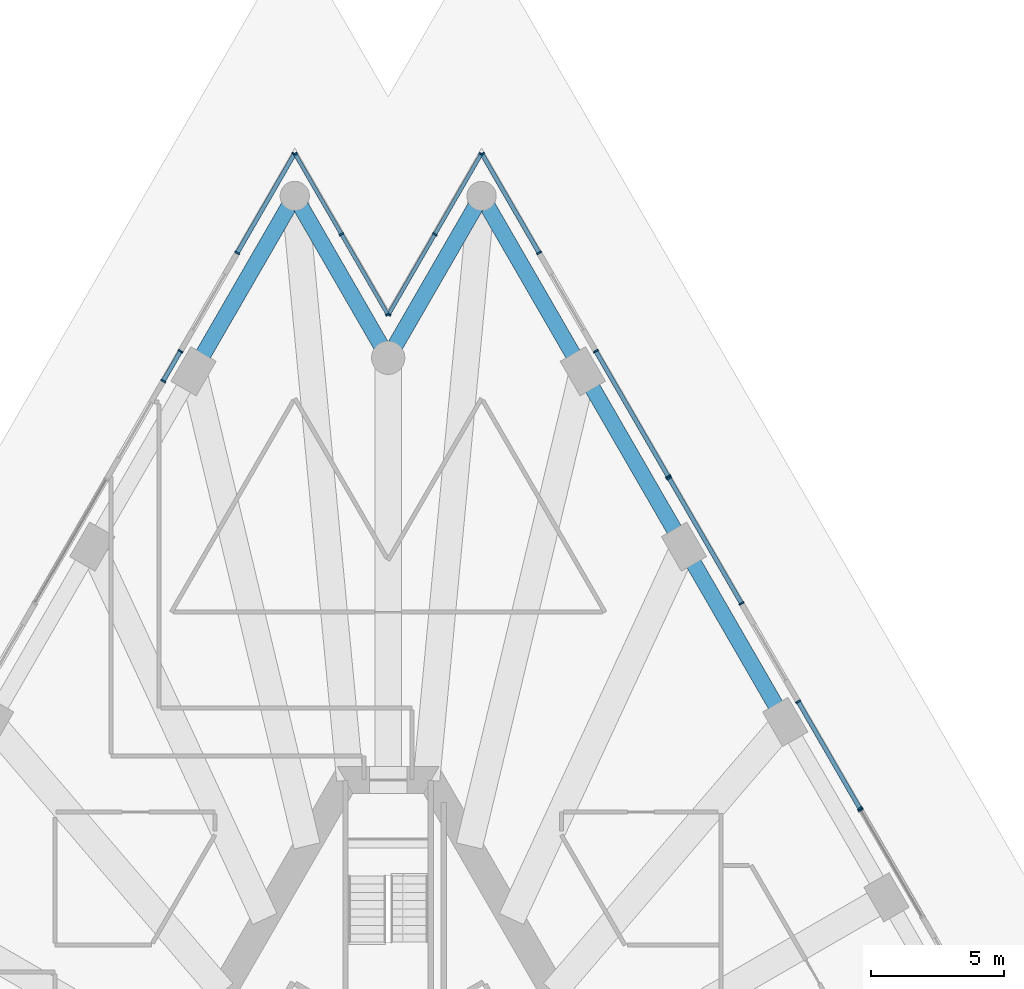
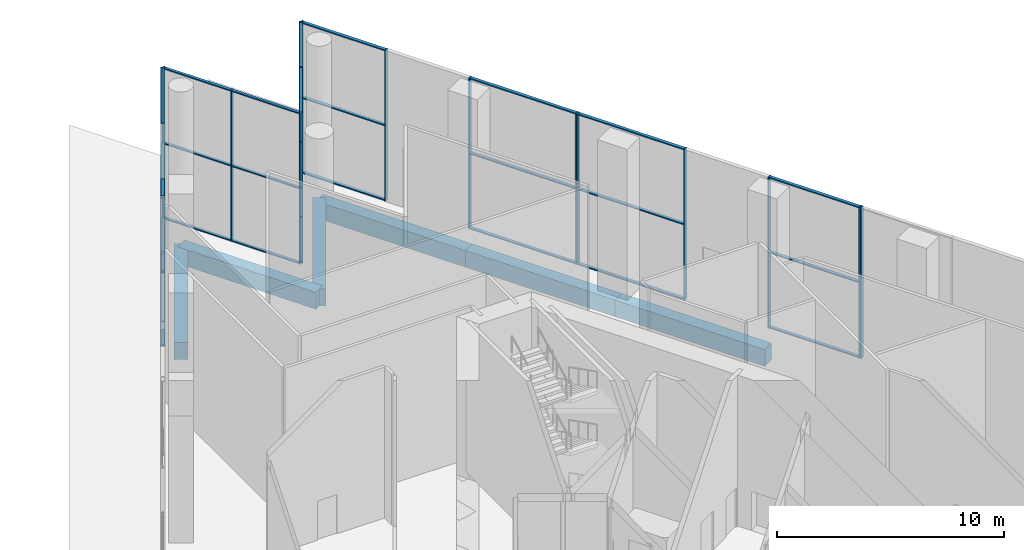
# One storey, part 14 of 41: 49 members, 6 beams, 9 elements without a shape of their own.
"""IFC4 building model written with IfcOpenShell, lengths in metres."""

import ifcopenshell
import ifcopenshell.guid

model = None  # the IFC model being written
_history = None  # IfcOwnerHistory: only IFC2X3 demands one
_inside = {}  # id of a spatial element -> (the spatial element, [elements in it])
_under = {}  # id of a project, library or spatial element -> (it, [spatial elements below it])
_declared = {}  # id of a project -> (the project, [libraries it declares])
_typed = {}  # id of a type object -> (the type object, [elements of that type])
_made_of = {}  # id of a material, layer set ... -> (it, [elements and type objects made of it])


def new_model(schema):
    """Start an empty IFC model of exactly this schema.

    Asked for "IFC4X3", IfcOpenShell would pick the latest addendum, in which some entities
    have other attributes; the version numbers below select the first issue.
    IFC2X3 requires an IfcOwnerHistory on every rooted entity: one is made here for all.
    """
    global model, _history
    if schema == "IFC4X3":
        model = ifcopenshell.file(schema_version=(4, 3, 0, 0))
    else:
        model = ifcopenshell.file(schema=schema)
    _inside.clear()
    _under.clear()
    _declared.clear()
    _typed.clear()
    _made_of.clear()
    _history = None
    if model.schema == "IFC2X3":
        org = make("IfcOrganization", Name="unknown")
        user = make(
            "IfcPersonAndOrganization",
            ThePerson=make("IfcPerson", FamilyName="unknown"),
            TheOrganization=org,
        )
        app = make(
            "IfcApplication",
            ApplicationDeveloper=org,
            Version="unknown",
            ApplicationFullName="unknown",
            ApplicationIdentifier="unknown",
        )
        _history = make(
            "IfcOwnerHistory",
            OwningUser=user,
            OwningApplication=app,
            ChangeAction="ADDED",
            CreationDate=0,
        )
    return model


def make(cls, **values):
    """One entity of the class cls with the attributes given. An attribute that is None is left unset."""
    return model.create_entity(
        cls, **{name: value for name, value in values.items() if value is not None}
    )


def rooted(cls, **values):
    """An entity with a GlobalId (a new one), such as an element, a storey or a relation."""
    return make(cls, GlobalId=ifcopenshell.guid.new(), OwnerHistory=_history, **values)


def si_unit(unit_type, name, prefix=None):
    """IfcSIUnit, for example si_unit("LENGTHUNIT", "METRE", prefix="MILLI")."""
    return make("IfcSIUnit", UnitType=unit_type, Prefix=prefix, Name=name)


def assignment(units):
    """IfcUnitAssignment: the units of a project."""
    return None if units is None else make("IfcUnitAssignment", Units=units)


def point(xyz):
    """IfcCartesianPoint."""
    return None if xyz is None else make("IfcCartesianPoint", Coordinates=xyz)


def direction(xyz):
    """IfcDirection."""
    return None if xyz is None else make("IfcDirection", DirectionRatios=xyz)


def frame(location, z_axis=None, x_axis=None):
    """IfcAxis2Placement3D, a coordinate frame: its origin and axes. An axis left out is left unset."""
    return make(
        "IfcAxis2Placement3D",
        Location=point(location),
        Axis=direction(z_axis),
        RefDirection=direction(x_axis),
    )


def frame_2d(location, x_axis=None):
    """IfcAxis2Placement2D, a coordinate frame in the plane: its origin and x axis."""
    return make(
        "IfcAxis2Placement2D", Location=point(location), RefDirection=direction(x_axis)
    )


def origin():
    """The frame at (0, 0, 0) with its axes left unset."""
    return frame((0.0, 0.0, 0.0))


def origin_2d():
    """The frame at (0, 0) in the plane with its x axis left unset."""
    return frame_2d((0.0, 0.0))


def place(relative_to, where):
    """IfcLocalPlacement: puts the frame where relative to a parent placement (None: the world)."""
    return make(
        "IfcLocalPlacement", PlacementRelTo=relative_to, RelativePlacement=where
    )


def context(
    kind, dimensions, precision=None, world=None, true_north=None, identifier=None
):
    """IfcGeometricRepresentationContext, for example the 3D "Model" context."""
    return make(
        "IfcGeometricRepresentationContext",
        ContextIdentifier=identifier,
        ContextType=kind,
        CoordinateSpaceDimension=dimensions,
        Precision=precision,
        WorldCoordinateSystem=world,
        TrueNorth=true_north,
    )


def subcontext(parent, identifier, kind, view, scale=None):
    """IfcGeometricRepresentationSubContext, for example "Body" below "Model"."""
    return make(
        "IfcGeometricRepresentationSubContext",
        ContextIdentifier=identifier,
        ContextType=kind,
        ParentContext=parent,
        TargetScale=scale,
        TargetView=view,
    )


def project(units=None, contexts=None):
    """IfcProject with its units and contexts."""
    return rooted(
        "IfcProject",
        Name="project",
        RepresentationContexts=contexts,
        UnitsInContext=assignment(units),
    )


def spatial(cls, under=None, at=None, **own):
    """A site, building, storey or space (cls), placed at a placement, below another one or the project."""
    s = rooted(cls, ObjectPlacement=at, **own)
    if under is not None:
        _under.setdefault(under.id(), (under, []))[1].append(s)
    return s


def profile(cls, at=None, kind="AREA", **sizes):
    """A parametric profile (cls). Its sizes go by their IFC names, for example OverallWidth=200.0."""
    return make(cls, ProfileType=kind, Position=at, **sizes)


def rectangle(**sizes):
    """IfcRectangleProfileDef."""
    return profile("IfcRectangleProfileDef", **sizes)


def extrude(swept, where, along, depth):
    """IfcExtrudedAreaSolid: the profile swept, set in the frame where, extruded along a direction by depth."""
    return make(
        "IfcExtrudedAreaSolid",
        SweptArea=swept,
        Position=where,
        ExtrudedDirection=direction(along),
        Depth=depth,
    )


def shape(context_of_items, identifier, shape_type, items):
    """IfcShapeRepresentation: the items that make up one representation, for example the "Body"."""
    return make(
        "IfcShapeRepresentation",
        ContextOfItems=context_of_items,
        RepresentationIdentifier=identifier,
        RepresentationType=shape_type,
        Items=items,
    )


def material(Name=None, Category=None):
    """IfcMaterial."""
    return make("IfcMaterial", Name=Name, Category=Category)


def layer(
    of_material, thickness, ventilated=None, Name=None, Category=None, Priority=None
):
    """IfcMaterialLayer: one layer of a wall or slab, of a material (None: an air gap)."""
    return make(
        "IfcMaterialLayer",
        Material=of_material,
        LayerThickness=thickness,
        IsVentilated=ventilated,
        Name=Name,
        Category=Category,
        Priority=Priority,
    )


def layer_set(layers, Name=None):
    """IfcMaterialLayerSet."""
    return make("IfcMaterialLayerSet", MaterialLayers=layers, LayerSetName=Name)


def material_profile(
    of_material, cross_section, Name=None, Category=None, Priority=None
):
    """IfcMaterialProfile: a cross section and its material."""
    return make(
        "IfcMaterialProfile",
        Name=Name,
        Material=of_material,
        Profile=cross_section,
        Priority=Priority,
        Category=Category,
    )


def profile_set(profiles, Name=None, composite=None):
    """IfcMaterialProfileSet."""
    return make(
        "IfcMaterialProfileSet",
        Name=Name,
        MaterialProfiles=profiles,
        CompositeProfile=composite,
    )


def made_of(thing, what):
    """Note that an element or type object is made of a material, layer set ...; save() writes the relation."""
    if what is not None:
        _made_of.setdefault(what.id(), (what, []))[1].append(thing)
    return thing


def type_object(cls, material=None, **own):
    """A type object (cls), such as IfcWallType, which elements share."""
    return made_of(rooted(cls, **own), material)


def element(
    cls,
    number,
    at=None,
    inside=None,
    cuts=None,
    type_object=None,
    material=None,
    context=None,
    identifier="Body",
    shape_type=None,
    held_by="IfcProductDefinitionShape",
    body=None,
    shapes=None,
    **own,
):
    """One element of the class cls, such as IfcWall. Its Tag is "e" and its number.

    at: its placement. inside: the storey or other place that contains it. cuts: it is an
    opening in that element (IfcRelVoidsElement). A single representation is given by context,
    identifier, shape_type and body (its items); several are given by shapes. held_by: the class
    of the entity that holds the representations. save() writes the other relations.
    """
    e = rooted(cls, Tag="e%d" % number, ObjectPlacement=at, **own)
    if body is not None:
        shapes = [shape(context, identifier, shape_type, body)]
    if shapes is not None:
        e.Representation = make(held_by, Representations=shapes)
    if inside is not None:
        _inside.setdefault(inside.id(), (inside, []))[1].append(e)
    if cuts is not None:
        rooted(
            "IfcRelVoidsElement", RelatingBuildingElement=cuts, RelatedOpeningElement=e
        )
    if type_object is not None:
        _typed.setdefault(type_object.id(), (type_object, []))[1].append(e)
    return made_of(e, material)


def aggregate(whole, parts):
    """IfcRelAggregates: a whole, such as a stair, and the parts it consists of."""
    return rooted("IfcRelAggregates", RelatingObject=whole, RelatedObjects=parts)


def save(model, path):
    """Write the relations noted so far, then the file.

    IfcRelAggregates (storeys below a building ...), IfcRelContainedInSpatialStructure (elements
    in a storey), IfcRelDefinesByType, IfcRelAssociatesMaterial and IfcRelDeclares: one each for
    every whole, place, type object, material and project.
    """
    for whole, parts in _under.values():
        aggregate(whole, parts)
    for where, things in _inside.values():
        rooted(
            "IfcRelContainedInSpatialStructure",
            RelatedElements=things,
            RelatingStructure=where,
        )
    for kind, things in _typed.values():
        rooted("IfcRelDefinesByType", RelatedObjects=things, RelatingType=kind)
    for what, things in _made_of.values():
        rooted("IfcRelAssociatesMaterial", RelatedObjects=things, RelatingMaterial=what)
    for by, libraries in _declared.values():
        rooted("IfcRelDeclares", RelatingContext=by, RelatedDefinitions=libraries)
    model.write(path)


model = new_model("IFC4")

# Units and contexts
model_context = context("Model", 3, precision=1e-05, world=origin(), true_north=direction((0.0, 1.0)))
body_context = subcontext(model_context, "Body", "Model", "MODEL_VIEW")
ifc_project = project(units=[si_unit("LENGTHUNIT", "METRE"), si_unit("AREAUNIT", "SQUARE_METRE"), si_unit("VOLUMEUNIT", "CUBIC_METRE"), si_unit("PLANEANGLEUNIT", "RADIAN"), si_unit("MASSUNIT", "GRAM", prefix="KILO")], contexts=[model_context])

# Site, building, storey
site_placement = place(None, origin())
site = spatial("IfcSite", under=ifc_project, at=site_placement, CompositionType="ELEMENT")
building_placement = place(site_placement, origin())
building = spatial("IfcBuilding", under=site, at=building_placement, Name="Triada Interchange Tower", CompositionType="ELEMENT")
storey_placement = place(building_placement, origin())
storey = spatial("IfcBuildingStorey", under=building, at=storey_placement, Name="L00", CompositionType="ELEMENT", Elevation=0.0)

# Curtain wall, member
ifc_material_1 = material(Name="Aluminium framed glazing", Category="aluminium")
ifc_layer_1 = layer(ifc_material_1, 0.199951171875)
ifc_layer_set_1 = layer_set([ifc_layer_1], Name="Curtain wall Concourse glazed screen")
curtain_wall_type_1 = type_object("IfcCurtainWallType", Name="Curtain wall Concourse glazed screen", PredefinedType="NOTDEFINED", material=ifc_layer_set_1)
curtain_wall_1_placement = place(storey_placement, origin())
curtain_wall_1 = element("IfcCurtainWall", 1, at=curtain_wall_1_placement, inside=storey, type_object=curtain_wall_type_1, Name="Concourse glazed screen CW023 L00", PredefinedType="NOTDEFINED")
ifc_material_2 = material(Name="Aluminium", Category="aluminium")
ifc_material_profile_1 = material_profile(ifc_material_2, rectangle(XDim=0.199951171875, YDim=0.06005859375, at=origin_2d()), Name="Aluminium mullion")
ifc_profile_set_1 = profile_set([ifc_material_profile_1], Name="Aluminium")
member_type_1 = type_object("IfcMemberType", Name="Mullion Concourse glazed screen 200x60", PredefinedType="MULLION", material=ifc_profile_set_1)
member_1_placement = place(storey_placement, frame((17.738037109375, 14.075927734375, 0.0), z_axis=(0.0, 0.0, 1.0), x_axis=(-0.865961626677, -0.500110448923, 0.0)))
member_1 = element("IfcMember", 2, at=member_1_placement, type_object=member_type_1, Name="CW023 mullion 2", PredefinedType="MULLION", context=body_context, shape_type="SweptSolid", body=[
    extrude(rectangle(XDim=0.199951171875, YDim=0.06005859375, at=origin_2d()), origin(), (0.0, 0.0, 1.0), 8.10009765625),
])
aggregate(curtain_wall_1, [member_1])

# Curtain wall, members
curtain_wall_2_placement = place(storey_placement, origin())
curtain_wall_2 = element("IfcCurtainWall", 3, at=curtain_wall_2_placement, inside=storey, type_object=curtain_wall_type_1, Name="Concourse glazed screen CW024 L00", PredefinedType="NOTDEFINED")
member_2_placement = place(storey_placement, frame((17.702880859375, 14.136962890625, 0.0), z_axis=(0.0, 0.0, 1.0), x_axis=(-0.866054061384, -0.499950360297, 0.0)))
member_2 = element("IfcMember", 4, at=member_2_placement, type_object=member_type_1, Name="CW024 mullion 1", PredefinedType="MULLION", context=body_context, shape_type="SweptSolid", body=[
    extrude(rectangle(XDim=0.199951171875, YDim=0.06005859375, at=origin_2d()), origin(), (0.0, 0.0, 1.0), 8.10009765625),
])
member_3_placement = place(storey_placement, frame((15.39111328125, 18.14208984375, 0.0), z_axis=(0.0, 0.0, 1.0), x_axis=(-0.866054061384, -0.499950360297, 0.0)))
member_3 = element("IfcMember", 5, at=member_3_placement, type_object=member_type_1, Name="CW024 mullion 2", PredefinedType="MULLION", context=body_context, shape_type="SweptSolid", body=[
    extrude(rectangle(XDim=0.199951171875, YDim=0.06005859375, at=origin_2d()), origin(), (0.0, 0.0, 1.0), 8.10009765625),
])

curtain_wall_3_placement = place(storey_placement, origin())
curtain_wall_3 = element("IfcCurtainWall", 6, at=curtain_wall_3_placement, inside=storey, type_object=curtain_wall_type_1, Name="Concourse glazed screen CW025 L00", PredefinedType="NOTDEFINED")
member_4_placement = place(storey_placement, frame((13.260986328125, 21.8310546875, 0.0), z_axis=(0.0, 0.0, 1.0), x_axis=(-0.86597023878, -0.50009553642, 0.0)))
member_4 = element("IfcMember", 7, at=member_4_placement, type_object=member_type_1, Name="CW025 mullion 1", PredefinedType="MULLION", context=body_context, shape_type="SweptSolid", body=[
    extrude(rectangle(XDim=0.199951171875, YDim=0.06005859375, at=origin_2d()), origin(), (0.0, 0.0, 1.0), 8.10009765625),
])
member_5_placement = place(storey_placement, frame((10.544921875, 26.533935546875, 0.0), z_axis=(0.0, 0.0, 1.0), x_axis=(-0.86597023878, -0.50009553642, 0.0)))
member_5 = element("IfcMember", 8, at=member_5_placement, type_object=member_type_1, Name="CW025 mullion 2", PredefinedType="MULLION", context=body_context, shape_type="SweptSolid", body=[
    extrude(rectangle(XDim=0.199951171875, YDim=0.06005859375, at=origin_2d()), origin(), (0.0, 0.0, 1.0), 8.10009765625),
])

curtain_wall_4_placement = place(storey_placement, origin())
curtain_wall_4 = element("IfcCurtainWall", 9, at=curtain_wall_4_placement, inside=storey, type_object=curtain_wall_type_1, Name="Concourse glazed screen CW026 L00", PredefinedType="NOTDEFINED")
member_6_placement = place(storey_placement, frame((10.510009765625, 26.594970703125, 0.0), z_axis=(0.0, 0.0, 1.0), x_axis=(-0.866049104566, -0.499958946795, 0.0)))
member_6 = element("IfcMember", 10, at=member_6_placement, type_object=member_type_1, Name="CW026 mullion 1", PredefinedType="MULLION", context=body_context, shape_type="SweptSolid", body=[
    extrude(rectangle(XDim=0.199951171875, YDim=0.06005859375, at=origin_2d()), origin(), (0.0, 0.0, 1.0), 8.10009765625),
])
member_7_placement = place(storey_placement, frame((7.794921875, 31.298095703125, 0.0), z_axis=(0.0, 0.0, 1.0), x_axis=(-0.866049104566, -0.499958946795, 0.0)))
member_7 = element("IfcMember", 11, at=member_7_placement, type_object=member_type_1, Name="CW026 mullion 2", PredefinedType="MULLION", context=body_context, shape_type="SweptSolid", body=[
    extrude(rectangle(XDim=0.199951171875, YDim=0.06005859375, at=origin_2d()), origin(), (0.0, 0.0, 1.0), 8.10009765625),
])

curtain_wall_5_placement = place(storey_placement, origin())
curtain_wall_5 = element("IfcCurtainWall", 12, at=curtain_wall_5_placement, inside=storey, type_object=curtain_wall_type_1, Name="Concourse glazed screen CW027 L00", PredefinedType="NOTDEFINED")
member_8_placement = place(storey_placement, frame((5.6650390625, 34.988037109375, 0.0), z_axis=(0.0, 0.0, 1.0), x_axis=(-0.86598245789, -0.500074377095, 0.0)))
member_8 = element("IfcMember", 13, at=member_8_placement, type_object=member_type_1, Name="CW027 mullion 1", PredefinedType="MULLION", context=body_context, shape_type="SweptSolid", body=[
    extrude(rectangle(XDim=0.199951171875, YDim=0.06005859375, at=origin_2d()), origin(), (0.0, 0.0, 1.0), 8.10009765625),
])
member_9_placement = place(storey_placement, frame((3.52197265625, 38.698974609375, 0.0), z_axis=(0.0, 0.0, 1.0), x_axis=(-0.86598245789, -0.500074377095, 0.0)))
member_9 = element("IfcMember", 14, at=member_9_placement, type_object=member_type_1, Name="CW027 mullion 2", PredefinedType="MULLION", context=body_context, shape_type="SweptSolid", body=[
    extrude(rectangle(XDim=0.199951171875, YDim=0.06005859375, at=origin_2d()), origin(), (0.0, 0.0, 1.0), 8.10009765625),
])

curtain_wall_6_placement = place(storey_placement, origin())
curtain_wall_6 = element("IfcCurtainWall", 15, at=curtain_wall_6_placement, inside=storey, type_object=curtain_wall_type_1, Name="Concourse glazed screen CW030 L00", PredefinedType="NOTDEFINED")
member_10_placement = place(storey_placement, frame((-3.52197265625, 38.698974609375, 0.0), z_axis=(0.0, 0.0, 1.0), x_axis=(0.866039990529, -0.499974734167, 0.0)))
member_10 = element("IfcMember", 16, at=member_10_placement, type_object=member_type_1, Name="CW030 mullion 1", PredefinedType="MULLION", context=body_context, shape_type="SweptSolid", body=[
    extrude(rectangle(XDim=0.199951171875, YDim=0.06005859375, at=origin_2d()), origin(), (0.0, 0.0, 1.0), 8.10009765625),
])
member_11_placement = place(storey_placement, frame((-5.6650390625, 34.987060546875, 0.0), z_axis=(0.0, 0.0, 1.0), x_axis=(0.866039990529, -0.499974734167, 0.0)))
member_11 = element("IfcMember", 17, at=member_11_placement, type_object=member_type_1, Name="CW030 mullion 2", PredefinedType="MULLION", context=body_context, shape_type="SweptSolid", body=[
    extrude(rectangle(XDim=0.199951171875, YDim=0.06005859375, at=origin_2d()), origin(), (0.0, 0.0, 1.0), 8.10009765625),
])

curtain_wall_7_placement = place(storey_placement, origin())
curtain_wall_7 = element("IfcCurtainWall", 18, at=curtain_wall_7_placement, inside=storey, type_object=curtain_wall_type_1, Name="Concourse glazed screen CW031 L00", PredefinedType="NOTDEFINED")
member_12_placement = place(storey_placement, frame((-7.794921875, 31.298095703125, 0.0), z_axis=(0.0, 0.0, 1.0), x_axis=(0.866099526488, -0.499871593728, 0.0)))
member_12 = element("IfcMember", 19, at=member_12_placement, type_object=member_type_1, Name="CW031 mullion 1", PredefinedType="MULLION", context=body_context, shape_type="SweptSolid", body=[
    extrude(rectangle(XDim=0.199951171875, YDim=0.06005859375, at=origin_2d()), origin(), (0.0, 0.0, 1.0), 8.10009765625),
])
member_13_placement = place(storey_placement, frame((-8.44189453125, 30.177001953125, 0.0), z_axis=(0.0, 0.0, 1.0), x_axis=(0.866099526488, -0.499871593728, 0.0)))
member_13 = element("IfcMember", 20, at=member_13_placement, type_object=member_type_1, Name="CW031 mullion 2", PredefinedType="MULLION", context=body_context, shape_type="SweptSolid", body=[
    extrude(rectangle(XDim=0.199951171875, YDim=0.06005859375, at=origin_2d()), origin(), (0.0, 0.0, 1.0), 8.10009765625),
])

ifc_layer_2 = layer(ifc_material_1, 0.199951171875)
ifc_layer_set_2 = layer_set([ifc_layer_2], Name="Curtain wall Tower lobby glazing")
curtain_wall_type_2 = type_object("IfcCurtainWallType", Name="Curtain wall Tower lobby glazing", PredefinedType="NOTDEFINED", material=ifc_layer_set_2)
curtain_wall_8_placement = place(storey_placement, origin())
curtain_wall_8 = element("IfcCurtainWall", 21, at=curtain_wall_8_placement, inside=storey, type_object=curtain_wall_type_2, Name="Tower lobby glazing CW028 L00", PredefinedType="NOTDEFINED")
ifc_material_profile_2 = material_profile(ifc_material_2, rectangle(XDim=0.179931640625, YDim=0.06005859375, at=origin_2d()), Name="Aluminium mullion")
ifc_profile_set_2 = profile_set([ifc_material_profile_2], Name="Aluminium")
member_type_2 = type_object("IfcMemberType", Name="Mullion Tower lobby glazing 180x60", PredefinedType="MULLION", material=ifc_profile_set_2)
member_14_placement = place(storey_placement, frame((3.491943359375, 38.698974609375, 0.0), z_axis=(0.0, 0.0, 1.0), x_axis=(0.866050272896, -0.499956922962, 0.0)))
member_14 = element("IfcMember", 22, at=member_14_placement, type_object=member_type_2, Name="CW028 mullion 1", PredefinedType="MULLION", context=body_context, shape_type="SweptSolid", body=[
    extrude(rectangle(XDim=0.179931640625, YDim=0.06005859375, at=origin_2d()), origin(), (0.0, 0.0, 1.0), 8.10009765625),
])
member_15_placement = place(storey_placement, frame((1.75341796875, 35.6875, 0.0), z_axis=(0.0, 0.0, 1.0), x_axis=(0.866050272896, -0.499956922962, 0.0)))
member_15 = element("IfcMember", 23, at=member_15_placement, type_object=member_type_2, Name="CW028 mullion 2", PredefinedType="MULLION", context=body_context, shape_type="SweptSolid", body=[
    extrude(rectangle(XDim=0.179931640625, YDim=0.06005859375, at=origin_2d()), origin(), (0.0, 0.0, 1.0), 8.10009765625),
])
member_16_placement = place(storey_placement, frame((0.014892578125, 32.676025390625, 0.0), z_axis=(0.0, 0.0, 1.0), x_axis=(0.866050272896, -0.499956922962, 0.0)))
member_16 = element("IfcMember", 24, at=member_16_placement, type_object=member_type_2, Name="CW028 mullion 3", PredefinedType="MULLION", context=body_context, shape_type="SweptSolid", body=[
    extrude(rectangle(XDim=0.179931640625, YDim=0.06005859375, at=origin_2d()), origin(), (0.0, 0.0, 1.0), 8.10009765625),
])

curtain_wall_9_placement = place(storey_placement, origin())
curtain_wall_9 = element("IfcCurtainWall", 25, at=curtain_wall_9_placement, inside=storey, type_object=curtain_wall_type_2, Name="Tower lobby glazing CW029 L00", PredefinedType="NOTDEFINED")
member_17_placement = place(storey_placement, frame((-0.014892578125, 32.676025390625, 0.0), z_axis=(0.0, 0.0, 1.0), x_axis=(-0.866050272896, -0.499956922962, 0.0)))
member_17 = element("IfcMember", 26, at=member_17_placement, type_object=member_type_2, Name="CW029 mullion 1", PredefinedType="MULLION", context=body_context, shape_type="SweptSolid", body=[
    extrude(rectangle(XDim=0.179931640625, YDim=0.06005859375, at=origin_2d()), origin(), (0.0, 0.0, 1.0), 8.10009765625),
])
member_18_placement = place(storey_placement, frame((-1.75341796875, 35.6875, 0.0), z_axis=(0.0, 0.0, 1.0), x_axis=(-0.866050272896, -0.499956922962, 0.0)))
member_18 = element("IfcMember", 27, at=member_18_placement, type_object=member_type_2, Name="CW029 mullion 2", PredefinedType="MULLION", context=body_context, shape_type="SweptSolid", body=[
    extrude(rectangle(XDim=0.179931640625, YDim=0.06005859375, at=origin_2d()), origin(), (0.0, 0.0, 1.0), 8.10009765625),
])
member_19_placement = place(storey_placement, frame((-3.491943359375, 38.698974609375, 0.0), z_axis=(0.0, 0.0, 1.0), x_axis=(-0.866050272896, -0.499956922962, 0.0)))
member_19 = element("IfcMember", 28, at=member_19_placement, type_object=member_type_2, Name="CW029 mullion 3", PredefinedType="MULLION", context=body_context, shape_type="SweptSolid", body=[
    extrude(rectangle(XDim=0.179931640625, YDim=0.06005859375, at=origin_2d()), origin(), (0.0, 0.0, 1.0), 8.10009765625),
])

# Beams
ifc_material_3 = material(Name="Concrete C50/60", Category="concrete")
ifc_material_profile_3 = material_profile(ifc_material_3, rectangle(XDim=0.60009765625, YDim=0.89990234375, at=origin_2d()), Name="RC 600x900")
ifc_profile_set_3 = profile_set([ifc_material_profile_3], Name="Concrete C50/60")
beam_type = type_object("IfcBeamType", Name="Spandrel beam P RC 600x900", PredefinedType="BEAM", material=ifc_profile_set_3)
beam_1_placement = place(storey_placement, frame((-3.507080078125, 37.125, -0.85009765625), z_axis=(-0.500022797313, -0.86601224135, 0.0), x_axis=(0.86601224135, -0.500022797313, 0.0)))
element("IfcBeam", 29, at=beam_1_placement, inside=storey, type_object=beam_type, Name="Spandrel beam EP01 L00", PredefinedType="BEAM", context=body_context, shape_type="SweptSolid", body=[
    extrude(rectangle(XDim=0.60009765625, YDim=0.89990234375, at=origin_2d()), origin(), (0.0, 0.0, 1.0), 7.599365234375),
])
beam_2_placement = place(storey_placement, frame((14.906005859375, 17.381103515625, -0.85009765625), z_axis=(-0.500060803479, 0.865990296034, 0.0), x_axis=(-0.865990296034, -0.500060803479, 0.0)))
element("IfcBeam", 30, at=beam_2_placement, inside=storey, type_object=beam_type, Name="Spandrel beam EP26 L00", PredefinedType="BEAM", context=body_context, shape_type="SweptSolid", body=[
    extrude(rectangle(XDim=0.60009765625, YDim=0.89990234375, at=origin_2d()), origin(), (0.0, 0.0, 1.0), 7.59912109375),
])
beam_3_placement = place(storey_placement, frame((11.10595703125, 23.9619140625, -0.85009765625), z_axis=(-0.499894869559, 0.866086092366, 0.0), x_axis=(-0.866086092366, -0.499894869559, 0.0)))
element("IfcBeam", 31, at=beam_3_placement, inside=storey, type_object=beam_type, Name="Spandrel beam EP27 L00", PredefinedType="BEAM", context=body_context, shape_type="SweptSolid", body=[
    extrude(rectangle(XDim=0.60009765625, YDim=0.89990234375, at=origin_2d()), origin(), (0.0, 0.0, 1.0), 7.599853515625),
])
beam_4_placement = place(storey_placement, frame((7.306884765625, 30.5439453125, -0.85009765625), z_axis=(-0.500022797313, 0.86601224135, 0.0), x_axis=(-0.86601224135, -0.500022797313, 0.0)))
element("IfcBeam", 32, at=beam_4_placement, inside=storey, type_object=beam_type, Name="Spandrel beam EP28 L00", PredefinedType="BEAM", context=body_context, shape_type="SweptSolid", body=[
    extrude(rectangle(XDim=0.60009765625, YDim=0.89990234375, at=origin_2d()), origin(), (0.0, 0.0, 1.0), 7.599365234375),
])
for number, where, z_axis, x_axis, name in (
    (33, (3.507080078125, 37.125, -0.85009765625), (-0.49996849935, -0.866043589929, 0.0), (0.866043589929, -0.49996849935, 0.0), "Spandrel beam EP29 L00"),
    (34, (0.0, 31.050048828125, -0.85009765625), (-0.49996849935, 0.866043589929, 0.0), (-0.866043589929, -0.49996849935, 0.0), "Spandrel beam EP30 L00"),
):
    element("IfcBeam", number, at=place(storey_placement, frame(where, z_axis=z_axis, x_axis=x_axis)), inside=storey, type_object=beam_type, Name=name, PredefinedType="BEAM", context=body_context, shape_type="SweptSolid", body=[
        extrude(rectangle(XDim=0.60009765625, YDim=0.89990234375, at=origin_2d()), origin(), (0.0, 0.0, 1.0), 7.0146484375),
    ])

# Member
ifc_material_profile_4 = material_profile(ifc_material_2, rectangle(XDim=0.159912109375, YDim=0.06005859375, at=origin_2d()), Name="Aluminium transom")
ifc_profile_set_4 = profile_set([ifc_material_profile_4], Name="Aluminium")
member_type_3 = type_object("IfcMemberType", Name="Transom Concourse glazed screen 160x60", PredefinedType="USERDEFINED", material=ifc_profile_set_4)
member_20_placement = place(storey_placement, frame((17.68798828125, 14.162841796875, 0.030029296875), z_axis=(-0.499941608923, 0.866059113264, 0.0), x_axis=(-0.866059113264, -0.499941608923, 0.0)))
member_20 = element("IfcMember", 35, at=member_20_placement, type_object=member_type_3, Name="CW024 transom 1.1", ObjectType="TRANSOM", PredefinedType="USERDEFINED", context=body_context, shape_type="SweptSolid", body=[
    extrude(rectangle(XDim=0.159912109375, YDim=0.06005859375, at=origin_2d()), origin(), (0.0, 0.0, 1.0), 4.564453125),
])

member_21_placement = place(storey_placement, frame((17.68798828125, 14.162841796875, 4.050048828125), z_axis=(-0.499941608923, 0.866059113264, 0.0), x_axis=(-0.866059113264, -0.499941608923, 0.0)))
member_21 = element("IfcMember", 36, at=member_21_placement, type_object=member_type_3, Name="CW024 transom 1.2", ObjectType="TRANSOM", PredefinedType="USERDEFINED", context=body_context, shape_type="SweptSolid", body=[
    extrude(rectangle(XDim=0.159912109375, YDim=0.06005859375, at=origin_2d()), origin(), (0.0, 0.0, 1.0), 4.564453125),
])

member_22_placement = place(storey_placement, frame((17.68798828125, 14.162841796875, 8.070068359375), z_axis=(-0.499941608923, 0.866059113264, 0.0), x_axis=(-0.866059113264, -0.499941608923, 0.0)))
member_22 = element("IfcMember", 37, at=member_22_placement, type_object=member_type_3, Name="CW024 transom 1.3", ObjectType="TRANSOM", PredefinedType="USERDEFINED", context=body_context, shape_type="SweptSolid", body=[
    extrude(rectangle(XDim=0.159912109375, YDim=0.06005859375, at=origin_2d()), origin(), (0.0, 0.0, 1.0), 4.564453125),
])

aggregate(curtain_wall_2, [member_2, member_3, member_20, member_21, member_22])

member_23_placement = place(storey_placement, frame((13.24609375, 21.85693359375, 0.030029296875), z_axis=(-0.500098862689, 0.86596831786, 0.0), x_axis=(-0.86596831786, -0.500098862689, 0.0)))
member_23 = element("IfcMember", 38, at=member_23_placement, type_object=member_type_3, Name="CW025 transom 1.1", ObjectType="TRANSOM", PredefinedType="USERDEFINED", context=body_context, shape_type="SweptSolid", body=[
    extrude(rectangle(XDim=0.159912109375, YDim=0.06005859375, at=origin_2d()), origin(), (0.0, 0.0, 1.0), 5.37109375),
])

member_24_placement = place(storey_placement, frame((13.24609375, 21.85693359375, 4.050048828125), z_axis=(-0.500098862689, 0.86596831786, 0.0), x_axis=(-0.86596831786, -0.500098862689, 0.0)))
member_24 = element("IfcMember", 39, at=member_24_placement, type_object=member_type_3, Name="CW025 transom 1.2", ObjectType="TRANSOM", PredefinedType="USERDEFINED", context=body_context, shape_type="SweptSolid", body=[
    extrude(rectangle(XDim=0.159912109375, YDim=0.06005859375, at=origin_2d()), origin(), (0.0, 0.0, 1.0), 5.37109375),
])

member_25_placement = place(storey_placement, frame((13.24609375, 21.85693359375, 8.070068359375), z_axis=(-0.500098862689, 0.86596831786, 0.0), x_axis=(-0.86596831786, -0.500098862689, 0.0)))
member_25 = element("IfcMember", 40, at=member_25_placement, type_object=member_type_3, Name="CW025 transom 1.3", ObjectType="TRANSOM", PredefinedType="USERDEFINED", context=body_context, shape_type="SweptSolid", body=[
    extrude(rectangle(XDim=0.159912109375, YDim=0.06005859375, at=origin_2d()), origin(), (0.0, 0.0, 1.0), 5.37109375),
])

aggregate(curtain_wall_3, [member_4, member_5, member_23, member_24, member_25])

member_26_placement = place(storey_placement, frame((10.4951171875, 26.620849609375, 0.030029296875), z_axis=(-0.499962496264, 0.866047055494, 0.0), x_axis=(-0.866047055494, -0.499962496264, 0.0)))
member_26 = element("IfcMember", 41, at=member_26_placement, type_object=member_type_3, Name="CW026 transom 1.1", ObjectType="TRANSOM", PredefinedType="USERDEFINED", context=body_context, shape_type="SweptSolid", body=[
    extrude(rectangle(XDim=0.159912109375, YDim=0.06005859375, at=origin_2d()), origin(), (0.0, 0.0, 1.0), 5.37060546875),
])

member_27_placement = place(storey_placement, frame((10.4951171875, 26.620849609375, 4.050048828125), z_axis=(-0.499962496264, 0.866047055494, 0.0), x_axis=(-0.866047055494, -0.499962496264, 0.0)))
member_27 = element("IfcMember", 42, at=member_27_placement, type_object=member_type_3, Name="CW026 transom 1.2", ObjectType="TRANSOM", PredefinedType="USERDEFINED", context=body_context, shape_type="SweptSolid", body=[
    extrude(rectangle(XDim=0.159912109375, YDim=0.06005859375, at=origin_2d()), origin(), (0.0, 0.0, 1.0), 5.37060546875),
])

member_28_placement = place(storey_placement, frame((10.4951171875, 26.620849609375, 8.070068359375), z_axis=(-0.499962496264, 0.866047055494, 0.0), x_axis=(-0.866047055494, -0.499962496264, 0.0)))
member_28 = element("IfcMember", 43, at=member_28_placement, type_object=member_type_3, Name="CW026 transom 1.3", ObjectType="TRANSOM", PredefinedType="USERDEFINED", context=body_context, shape_type="SweptSolid", body=[
    extrude(rectangle(XDim=0.159912109375, YDim=0.06005859375, at=origin_2d()), origin(), (0.0, 0.0, 1.0), 5.37060546875),
])

aggregate(curtain_wall_4, [member_6, member_7, member_26, member_27, member_28])

member_29_placement = place(storey_placement, frame((5.64990234375, 35.013916015625, 0.030029296875), z_axis=(-0.500029214736, 0.866008535991, 0.0), x_axis=(-0.866008535991, -0.500029214736, 0.0)))
member_29 = element("IfcMember", 44, at=member_29_placement, type_object=member_type_3, Name="CW027 transom 1.1", ObjectType="TRANSOM", PredefinedType="USERDEFINED", context=body_context, shape_type="SweptSolid", body=[
    extrude(rectangle(XDim=0.159912109375, YDim=0.06005859375, at=origin_2d()), origin(), (0.0, 0.0, 1.0), 4.225341796875),
])

member_30_placement = place(storey_placement, frame((5.64990234375, 35.013916015625, 4.050048828125), z_axis=(-0.500029214736, 0.866008535991, 0.0), x_axis=(-0.866008535991, -0.500029214736, 0.0)))
member_30 = element("IfcMember", 45, at=member_30_placement, type_object=member_type_3, Name="CW027 transom 1.2", ObjectType="TRANSOM", PredefinedType="USERDEFINED", context=body_context, shape_type="SweptSolid", body=[
    extrude(rectangle(XDim=0.159912109375, YDim=0.06005859375, at=origin_2d()), origin(), (0.0, 0.0, 1.0), 4.225341796875),
])

member_31_placement = place(storey_placement, frame((5.64990234375, 35.013916015625, 8.070068359375), z_axis=(-0.500029214736, 0.866008535991, 0.0), x_axis=(-0.866008535991, -0.500029214736, 0.0)))
member_31 = element("IfcMember", 46, at=member_31_placement, type_object=member_type_3, Name="CW027 transom 1.3", ObjectType="TRANSOM", PredefinedType="USERDEFINED", context=body_context, shape_type="SweptSolid", body=[
    extrude(rectangle(XDim=0.159912109375, YDim=0.06005859375, at=origin_2d()), origin(), (0.0, 0.0, 1.0), 4.225341796875),
])

aggregate(curtain_wall_5, [member_8, member_9, member_29, member_30, member_31])

member_32_placement = place(storey_placement, frame((-3.537109375, 38.673095703125, 0.030029296875), z_axis=(-0.499929149414, -0.866066305525, 0.0), x_axis=(0.866066305525, -0.499929149414, 0.0)))
member_32 = element("IfcMember", 47, at=member_32_placement, type_object=member_type_3, Name="CW030 transom 1.1", ObjectType="TRANSOM", PredefinedType="USERDEFINED", context=body_context, shape_type="SweptSolid", body=[
    extrude(rectangle(XDim=0.159912109375, YDim=0.06005859375, at=origin_2d()), origin(), (0.0, 0.0, 1.0), 4.22607421875),
])

member_33_placement = place(storey_placement, frame((-3.537109375, 38.673095703125, 4.050048828125), z_axis=(-0.499929149414, -0.866066305525, 0.0), x_axis=(0.866066305525, -0.499929149414, 0.0)))
member_33 = element("IfcMember", 48, at=member_33_placement, type_object=member_type_3, Name="CW030 transom 1.2", ObjectType="TRANSOM", PredefinedType="USERDEFINED", context=body_context, shape_type="SweptSolid", body=[
    extrude(rectangle(XDim=0.159912109375, YDim=0.06005859375, at=origin_2d()), origin(), (0.0, 0.0, 1.0), 4.22607421875),
])

member_34_placement = place(storey_placement, frame((-3.537109375, 38.673095703125, 8.070068359375), z_axis=(-0.499929149414, -0.866066305525, 0.0), x_axis=(0.866066305525, -0.499929149414, 0.0)))
member_34 = element("IfcMember", 49, at=member_34_placement, type_object=member_type_3, Name="CW030 transom 1.3", ObjectType="TRANSOM", PredefinedType="USERDEFINED", context=body_context, shape_type="SweptSolid", body=[
    extrude(rectangle(XDim=0.159912109375, YDim=0.06005859375, at=origin_2d()), origin(), (0.0, 0.0, 1.0), 4.22607421875),
])

aggregate(curtain_wall_6, [member_10, member_11, member_32, member_33, member_34])

member_35_placement = place(storey_placement, frame((-7.81005859375, 31.27197265625, 0.030029296875), z_axis=(-0.499819480216, -0.866129601847, 0.0), x_axis=(0.866129601847, -0.499819480216, 0.0)))
member_35 = element("IfcMember", 50, at=member_35_placement, type_object=member_type_3, Name="CW031 transom 1.1", ObjectType="TRANSOM", PredefinedType="USERDEFINED", context=body_context, shape_type="SweptSolid", body=[
    extrude(rectangle(XDim=0.159912109375, YDim=0.06005859375, at=origin_2d()), origin(), (0.0, 0.0, 1.0), 1.234375),
])

member_36_placement = place(storey_placement, frame((-7.81005859375, 31.27197265625, 4.050048828125), z_axis=(-0.499819480216, -0.866129601847, 0.0), x_axis=(0.866129601847, -0.499819480216, 0.0)))
member_36 = element("IfcMember", 51, at=member_36_placement, type_object=member_type_3, Name="CW031 transom 1.2", ObjectType="TRANSOM", PredefinedType="USERDEFINED", context=body_context, shape_type="SweptSolid", body=[
    extrude(rectangle(XDim=0.159912109375, YDim=0.06005859375, at=origin_2d()), origin(), (0.0, 0.0, 1.0), 1.234375),
])

member_37_placement = place(storey_placement, frame((-7.81005859375, 31.27197265625, 8.070068359375), z_axis=(-0.499819480216, -0.866129601847, 0.0), x_axis=(0.866129601847, -0.499819480216, 0.0)))
member_37 = element("IfcMember", 52, at=member_37_placement, type_object=member_type_3, Name="CW031 transom 1.3", ObjectType="TRANSOM", PredefinedType="USERDEFINED", context=body_context, shape_type="SweptSolid", body=[
    extrude(rectangle(XDim=0.159912109375, YDim=0.06005859375, at=origin_2d()), origin(), (0.0, 0.0, 1.0), 1.234375),
])

aggregate(curtain_wall_7, [member_12, member_13, member_35, member_36, member_37])

ifc_material_profile_5 = material_profile(ifc_material_2, rectangle(XDim=0.139892578125, YDim=0.06005859375, at=origin_2d()), Name="Aluminium transom")
ifc_profile_set_5 = profile_set([ifc_material_profile_5], Name="Aluminium")
member_type_4 = type_object("IfcMemberType", Name="Transom Tower lobby glazing 140x60", PredefinedType="USERDEFINED", material=ifc_profile_set_5)
member_38_placement = place(storey_placement, frame((3.47705078125, 38.673095703125, 0.030029296875), z_axis=(-0.499934775237, -0.866063058044, 0.0), x_axis=(0.866063058044, -0.499934775237, 0.0)))
member_38 = element("IfcMember", 53, at=member_38_placement, type_object=member_type_4, Name="CW028 transom 1.1", ObjectType="TRANSOM", PredefinedType="USERDEFINED", context=body_context, shape_type="SweptSolid", body=[
    extrude(rectangle(XDim=0.139892578125, YDim=0.06005859375, at=origin_2d()), origin(), (0.0, 0.0, 1.0), 3.41748046875),
])

member_39_placement = place(storey_placement, frame((3.47705078125, 38.673095703125, 4.050048828125), z_axis=(-0.499934775237, -0.866063058044, 0.0), x_axis=(0.866063058044, -0.499934775237, 0.0)))
member_39 = element("IfcMember", 54, at=member_39_placement, type_object=member_type_4, Name="CW028 transom 1.2", ObjectType="TRANSOM", PredefinedType="USERDEFINED", context=body_context, shape_type="SweptSolid", body=[
    extrude(rectangle(XDim=0.139892578125, YDim=0.06005859375, at=origin_2d()), origin(), (0.0, 0.0, 1.0), 3.41748046875),
])

member_40_placement = place(storey_placement, frame((3.47705078125, 38.673095703125, 8.070068359375), z_axis=(-0.499934775237, -0.866063058044, 0.0), x_axis=(0.866063058044, -0.499934775237, 0.0)))
member_40 = element("IfcMember", 55, at=member_40_placement, type_object=member_type_4, Name="CW028 transom 1.3", ObjectType="TRANSOM", PredefinedType="USERDEFINED", context=body_context, shape_type="SweptSolid", body=[
    extrude(rectangle(XDim=0.139892578125, YDim=0.06005859375, at=origin_2d()), origin(), (0.0, 0.0, 1.0), 3.41748046875),
])

member_41_placement = place(storey_placement, frame((1.738525390625, 35.66162109375, 0.030029296875), z_axis=(-0.499934775237, -0.866063058044, 0.0), x_axis=(0.866063058044, -0.499934775237, 0.0)))
member_41 = element("IfcMember", 56, at=member_41_placement, type_object=member_type_4, Name="CW028 transom 2.1", ObjectType="TRANSOM", PredefinedType="USERDEFINED", context=body_context, shape_type="SweptSolid", body=[
    extrude(rectangle(XDim=0.139892578125, YDim=0.06005859375, at=origin_2d()), origin(), (0.0, 0.0, 1.0), 3.41748046875),
])

member_42_placement = place(storey_placement, frame((1.738525390625, 35.66162109375, 4.050048828125), z_axis=(-0.499934775237, -0.866063058044, 0.0), x_axis=(0.866063058044, -0.499934775237, 0.0)))
member_42 = element("IfcMember", 57, at=member_42_placement, type_object=member_type_4, Name="CW028 transom 2.2", ObjectType="TRANSOM", PredefinedType="USERDEFINED", context=body_context, shape_type="SweptSolid", body=[
    extrude(rectangle(XDim=0.139892578125, YDim=0.06005859375, at=origin_2d()), origin(), (0.0, 0.0, 1.0), 3.41748046875),
])

member_43_placement = place(storey_placement, frame((1.738525390625, 35.66162109375, 8.070068359375), z_axis=(-0.499934775237, -0.866063058044, 0.0), x_axis=(0.866063058044, -0.499934775237, 0.0)))
member_43 = element("IfcMember", 58, at=member_43_placement, type_object=member_type_4, Name="CW028 transom 2.3", ObjectType="TRANSOM", PredefinedType="USERDEFINED", context=body_context, shape_type="SweptSolid", body=[
    extrude(rectangle(XDim=0.139892578125, YDim=0.06005859375, at=origin_2d()), origin(), (0.0, 0.0, 1.0), 3.41748046875),
])

aggregate(curtain_wall_8, [member_14, member_15, member_16, member_38, member_39, member_40, member_41, member_42, member_43])

member_44_placement = place(storey_placement, frame((-0.030029296875, 32.701904296875, 0.030029296875), z_axis=(-0.499934775237, 0.866063058044, 0.0), x_axis=(-0.866063058044, -0.499934775237, 0.0)))
member_44 = element("IfcMember", 59, at=member_44_placement, type_object=member_type_4, Name="CW029 transom 1.1", ObjectType="TRANSOM", PredefinedType="USERDEFINED", context=body_context, shape_type="SweptSolid", body=[
    extrude(rectangle(XDim=0.139892578125, YDim=0.06005859375, at=origin_2d()), origin(), (0.0, 0.0, 1.0), 3.41748046875),
])

member_45_placement = place(storey_placement, frame((-0.030029296875, 32.701904296875, 4.050048828125), z_axis=(-0.499934775237, 0.866063058044, 0.0), x_axis=(-0.866063058044, -0.499934775237, 0.0)))
member_45 = element("IfcMember", 60, at=member_45_placement, type_object=member_type_4, Name="CW029 transom 1.2", ObjectType="TRANSOM", PredefinedType="USERDEFINED", context=body_context, shape_type="SweptSolid", body=[
    extrude(rectangle(XDim=0.139892578125, YDim=0.06005859375, at=origin_2d()), origin(), (0.0, 0.0, 1.0), 3.41748046875),
])

member_46_placement = place(storey_placement, frame((-0.030029296875, 32.701904296875, 8.070068359375), z_axis=(-0.499934775237, 0.866063058044, 0.0), x_axis=(-0.866063058044, -0.499934775237, 0.0)))
member_46 = element("IfcMember", 61, at=member_46_placement, type_object=member_type_4, Name="CW029 transom 1.3", ObjectType="TRANSOM", PredefinedType="USERDEFINED", context=body_context, shape_type="SweptSolid", body=[
    extrude(rectangle(XDim=0.139892578125, YDim=0.06005859375, at=origin_2d()), origin(), (0.0, 0.0, 1.0), 3.41748046875),
])

member_47_placement = place(storey_placement, frame((-1.7685546875, 35.71337890625, 0.030029296875), z_axis=(-0.499934775237, 0.866063058044, 0.0), x_axis=(-0.866063058044, -0.499934775237, 0.0)))
member_47 = element("IfcMember", 62, at=member_47_placement, type_object=member_type_4, Name="CW029 transom 2.1", ObjectType="TRANSOM", PredefinedType="USERDEFINED", context=body_context, shape_type="SweptSolid", body=[
    extrude(rectangle(XDim=0.139892578125, YDim=0.06005859375, at=origin_2d()), origin(), (0.0, 0.0, 1.0), 3.41748046875),
])

member_48_placement = place(storey_placement, frame((-1.7685546875, 35.71337890625, 4.050048828125), z_axis=(-0.499934775237, 0.866063058044, 0.0), x_axis=(-0.866063058044, -0.499934775237, 0.0)))
member_48 = element("IfcMember", 63, at=member_48_placement, type_object=member_type_4, Name="CW029 transom 2.2", ObjectType="TRANSOM", PredefinedType="USERDEFINED", context=body_context, shape_type="SweptSolid", body=[
    extrude(rectangle(XDim=0.139892578125, YDim=0.06005859375, at=origin_2d()), origin(), (0.0, 0.0, 1.0), 3.41748046875),
])

member_49_placement = place(storey_placement, frame((-1.7685546875, 35.71337890625, 8.070068359375), z_axis=(-0.499934775237, 0.866063058044, 0.0), x_axis=(-0.866063058044, -0.499934775237, 0.0)))
member_49 = element("IfcMember", 64, at=member_49_placement, type_object=member_type_4, Name="CW029 transom 2.3", ObjectType="TRANSOM", PredefinedType="USERDEFINED", context=body_context, shape_type="SweptSolid", body=[
    extrude(rectangle(XDim=0.139892578125, YDim=0.06005859375, at=origin_2d()), origin(), (0.0, 0.0, 1.0), 3.41748046875),
])

aggregate(curtain_wall_9, [member_17, member_18, member_19, member_44, member_45, member_46, member_47, member_48, member_49])

save(model, "model.ifc")
